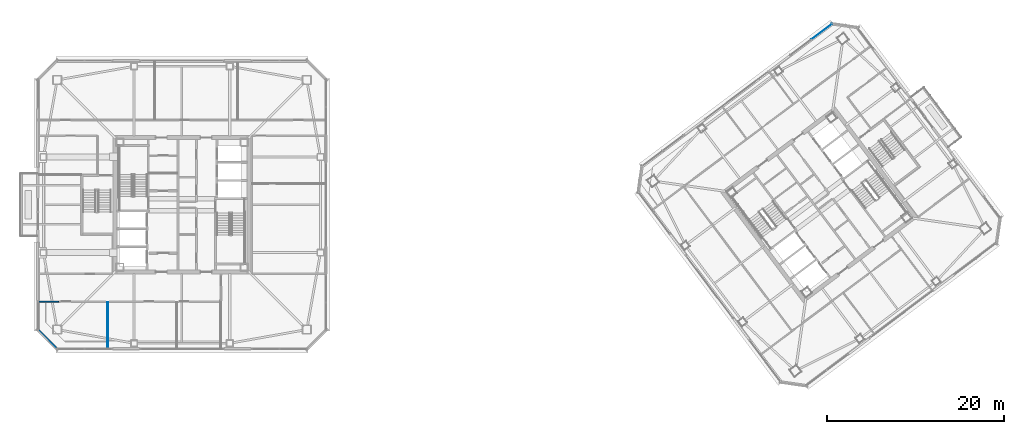
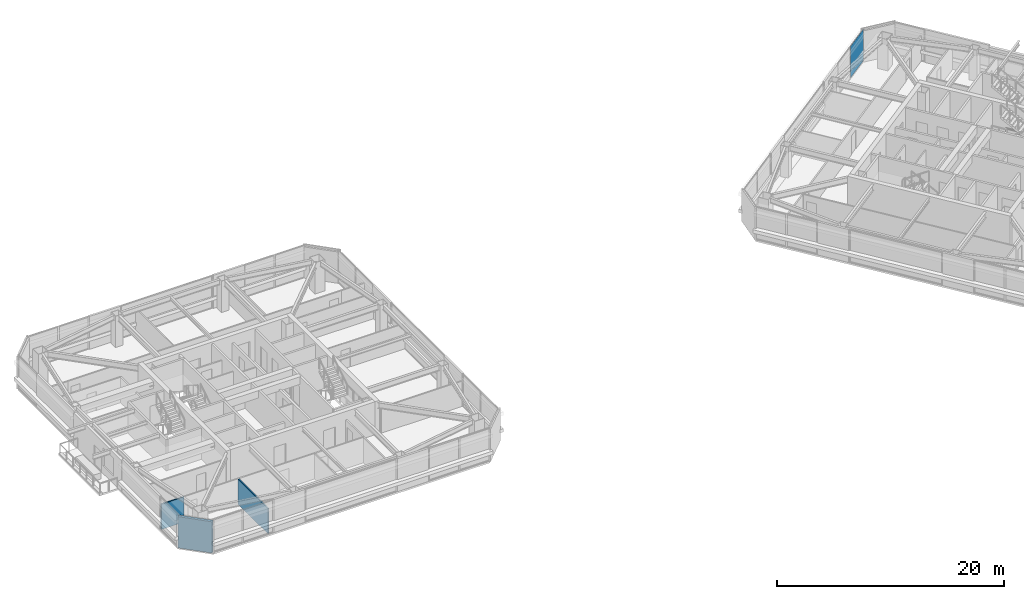
# One storey, part 28 of 39: 3 walls, 1 plate, 1 element without a shape of its own.
"""IFC4 building model written with IfcOpenShell, lengths in metres."""

from ifc_helpers import new_model, si_unit, direction, frame, frame_2d, origin, origin_2d, place, context, subcontext, project, spatial, rectangle, extrude, material, layer, layer_set, type_object, element, aggregate, save


model = new_model("IFC4")

# Units and contexts
model_context = context("Model", 3, precision=1e-05, world=origin(), true_north=direction((0.0, 1.0)))
body_context = subcontext(model_context, "Body", "Model", "MODEL_VIEW")
ifc_project = project(units=[si_unit("LENGTHUNIT", "METRE"), si_unit("AREAUNIT", "SQUARE_METRE"), si_unit("VOLUMEUNIT", "CUBIC_METRE"), si_unit("PLANEANGLEUNIT", "RADIAN"), si_unit("MASSUNIT", "GRAM", prefix="KILO")], contexts=[model_context])

# Site, building, storey
site_placement = place(None, origin())
site = spatial("IfcSite", under=ifc_project, at=site_placement, CompositionType="ELEMENT")
building_placement = place(site_placement, origin())
building = spatial("IfcBuilding", under=site, at=building_placement, Name="Tashvorn Skyway Center", CompositionType="ELEMENT")
storey_placement = place(building_placement, frame((0.0, 0.0, 214.85009765625)))
storey = spatial("IfcBuildingStorey", under=building, at=storey_placement, Name="L58", CompositionType="ELEMENT", Elevation=214.85009765625)

# Curtain wall, plate
ifc_material_1 = material(Name="Thermally broken bronze-anodized aluminium 6063-T6", Category="aluminium")
curtain_wall_type = type_object("IfcCurtainWallType", Name="CW-CW-Z5", PredefinedType="NOTDEFINED", material=ifc_material_1)
curtain_wall_placement = place(storey_placement, origin())
curtain_wall = element("IfcCurtainWall", 1, at=curtain_wall_placement, inside=storey, type_object=curtain_wall_type, Name="Tower 2 L58 North Unitised Curtain Wall Glazing Group 3", PredefinedType="NOTDEFINED")
ifc_material_2 = material(Name="Low-E solar-control double insulating safety glass", Category="glass")
ifc_layer_1 = layer(ifc_material_2, 0.031982421875)
ifc_layer_set_1 = layer_set([ifc_layer_1], Name="Low-E solar-control double insulating safety glass")
plate_type = type_object("IfcPlateType", Name="CWP-CW-Z5", PredefinedType="CURTAIN_PANEL", material=ifc_layer_set_1)
plate_placement = place(storey_placement, frame((114.28369140625, 51.562744140625, 0.06982421875), z_axis=(0.0, 0.0, 1.0), x_axis=(0.79999799704, 0.600002670604, 0.0)))
plate = element("IfcPlate", 2, at=plate_placement, type_object=plate_type, Name="CW-Z5 panel 2.1", PredefinedType="CURTAIN_PANEL", context=body_context, shape_type="SweptSolid", body=[
    extrude(rectangle(XDim=2.890625, YDim=0.031982421875, at=origin_2d()), origin(), (0.0, 0.0, 1.0), 3.409912109375),
])
aggregate(curtain_wall, [plate])

# Walls
ifc_material_3 = material(Name="Precast concrete C40/50", Category="concrete")
ifc_layer_2 = layer(ifc_material_3, 0.280029296875)
ifc_layer_set_2 = layer_set([ifc_layer_2], Name="Precast concrete C40/50")
wall_type_1 = type_object("IfcWallType", Name="WALL-EXT-280", PredefinedType="SOLIDWALL", material=ifc_layer_set_2)
wall_1_placement = place(storey_placement, frame((27.89990234375, 15.699951171875, 0.0), z_axis=(0.0, 0.0, 1.0), x_axis=(-0.707106781187, 0.707106781187, 0.0)))
element("IfcWall", 3, at=wall_1_placement, inside=storey, type_object=wall_type_1, Name="Tower 1 L58 SW Precast Chamfer Wall", PredefinedType="SOLIDWALL", context=body_context, shape_type="SweptSolid", body=[
    extrude(rectangle(XDim=3.111083984375, YDim=0.280029296875, at=frame_2d((1.5556640625, 0.0))), origin(), (0.0, 0.0, 1.0), 3.369873046875),
])
ifc_material_4 = material(Name="Gypsum board on cold-formed steel stud framing", Category="steel")
ifc_layer_3 = layer(ifc_material_4, 0.110107421875)
ifc_layer_set_3 = layer_set([ifc_layer_3], Name="Gypsum board on cold-formed steel stud framing")
wall_type_2 = type_object("IfcWallType", Name="WALL-PART-110", PredefinedType="PARTITIONING", material=ifc_layer_set_3)
wall_2_placement = place(storey_placement, frame((33.60009765625, 15.719970703125, 0.0), z_axis=(0.0, 0.0, 1.0), x_axis=(0.0, 1.0, 0.0)))
element("IfcWall", 4, at=wall_2_placement, inside=storey, type_object=wall_type_2, Name="Tower 1 L58 South Suite Partition 1", PredefinedType="PARTITIONING", context=body_context, shape_type="SweptSolid", body=[
    extrude(rectangle(XDim=5.25, YDim=0.110107421875, at=frame_2d((2.625, 0.0))), origin(), (0.0, 0.0, 1.0), 2.722900390625),
])
ifc_layer_4 = layer(ifc_material_4, 0.135009765625)
ifc_layer_set_4 = layer_set([ifc_layer_4], Name="Gypsum board on cold-formed steel stud framing")
wall_type_3 = type_object("IfcWallType", Name="WALL-PART-135", PredefinedType="PARTITIONING", material=ifc_layer_set_4)
wall_3_placement = place(storey_placement, frame((25.719970703125, 21.050048828125, 0.0), z_axis=(0.0, 0.0, 1.0), x_axis=(1.0, 0.0, 0.0)))
element("IfcWall", 5, at=wall_3_placement, inside=storey, type_object=wall_type_3, Name="Tower 1 L58 South-West Suite North Wall", PredefinedType="PARTITIONING", context=body_context, shape_type="SweptSolid", body=[
    extrude(rectangle(XDim=2.330078125, YDim=0.135009765625, at=frame_2d((1.1650390625, 0.0))), origin(), (0.0, 0.0, 1.0), 2.722900390625),
])

save(model, "model.ifc")
